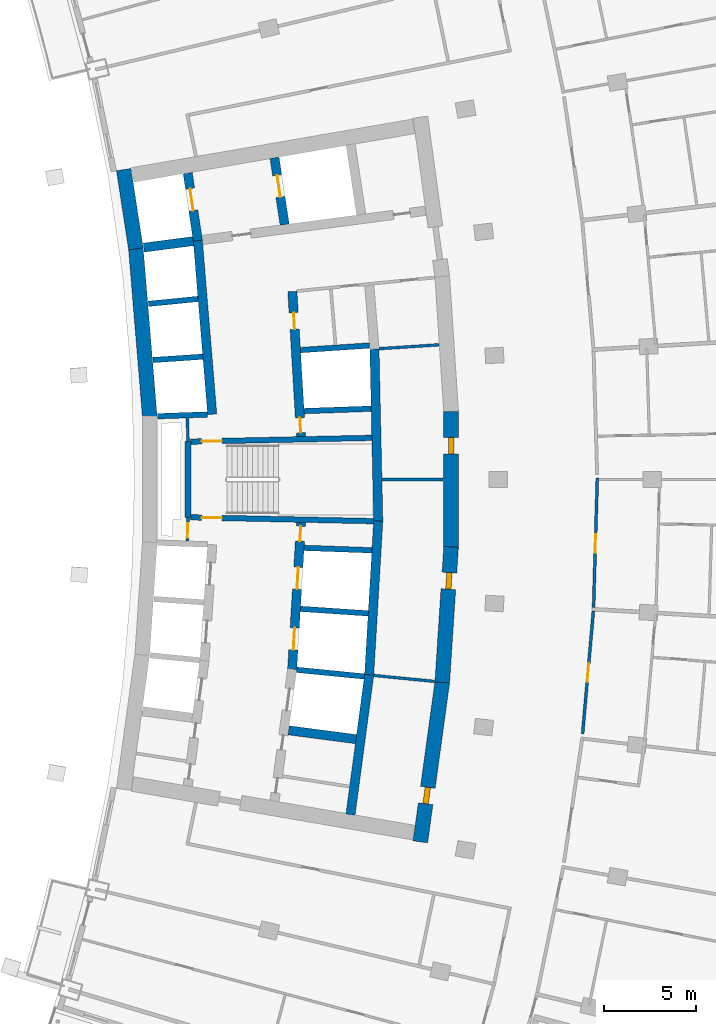
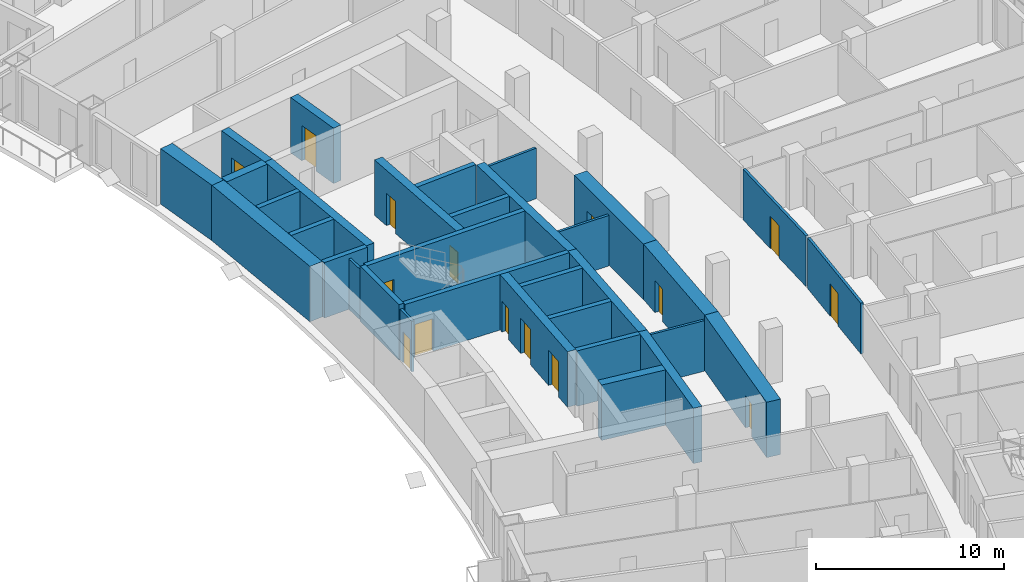
# One storey, part 16 of 25: 33 walls, 15 doors, 15 openings.
"""IFC4 building model written with IfcOpenShell, lengths in metres."""

from ifc_helpers import new_model, si_unit, direction, frame, frame_2d, origin, place, context, subcontext, project, spatial, rectangle, extrude, material, layer, layer_set, type_object, element, fill, save


model = new_model("IFC4")

# Units and contexts
model_context = context("Model", 3, precision=1e-05, world=origin(), true_north=direction((0.0, 1.0)))
body_context = subcontext(model_context, "Body", "Model", "MODEL_VIEW")
ifc_project = project(units=[si_unit("LENGTHUNIT", "METRE"), si_unit("AREAUNIT", "SQUARE_METRE"), si_unit("VOLUMEUNIT", "CUBIC_METRE"), si_unit("PLANEANGLEUNIT", "RADIAN"), si_unit("MASSUNIT", "GRAM", prefix="KILO")], contexts=[model_context])

# Site, building, storey
site_placement = place(None, origin())
site = spatial("IfcSite", under=ifc_project, at=site_placement, CompositionType="ELEMENT")
building_placement = place(site_placement, origin())
building = spatial("IfcBuilding", under=site, at=building_placement, Name="Alderwake Tower", CompositionType="ELEMENT")
storey_placement = place(building_placement, frame((0.0, 0.0, 111.199951171875)))
storey = spatial("IfcBuildingStorey", under=building, at=storey_placement, Name="L27", CompositionType="ELEMENT", Elevation=111.199951171875)

# Wall, opening, door
ifc_material_1 = material(Name="Gypsum shaft wall system, rated")
ifc_layer_1 = layer(ifc_material_1, 0.14990234375)
ifc_layer_set_1 = layer_set([ifc_layer_1], Name="Core room partition 150")
wall_type_1 = type_object("IfcWallType", Name="Core room partition 150", PredefinedType="PARTITIONING", material=ifc_layer_set_1)
wall_1_placement = place(storey_placement, frame((18.918701171875, 58.94384765625, 0.0), z_axis=(0.0, 0.0, 1.0), x_axis=(-0.027348257573, -0.999625966453, 0.0)))
wall_1 = element("IfcWall", 1, at=wall_1_placement, inside=storey, type_object=wall_type_1, Name="CW/L27/PA+24_-37", PredefinedType="PARTITIONING", context=body_context, shape_type="SweptSolid", body=[
    extrude(rectangle(XDim=1.29443359375, YDim=0.14990234375, at=frame_2d((0.647216796875, 0.0))), origin(), (0.0, 0.0, 1.0), 3.280029296875),
])
opening_1_placement = place(wall_1_placement, frame((0.322998046875, 0.0, 0.0)))
opening_1 = element("IfcOpeningElement", 2, at=opening_1_placement, cuts=wall_1, Name="Opening C004", PredefinedType="OPENING", context=body_context, shape_type="SweptSolid", body=[
    extrude(rectangle(XDim=0.800048828125, YDim=2.0, at=frame_2d((0.39990234375, 1.0))), frame((0.0, 0.0849609375, 0.0), z_axis=(0.0, -1.0, 0.0), x_axis=(1.0, 0.0, 0.0)), (0.0, 0.0, 1.0), 0.169921875),
])
ifc_material_2 = material(Name="Painted steel leaf, rated", Category="steel")
door_type_1 = type_object("IfcDoorType", Name="Riser access door 800", OperationType="SINGLE_SWING_LEFT", PredefinedType="DOOR", material=ifc_material_2)
door_1_placement = place(opening_1_placement, origin())
door_1 = element("IfcDoor", 3, at=door_1_placement, inside=storey, type_object=door_type_1, Name="Riser access door", OperationType="SINGLE_SWING_RIGHT", OverallHeight=2.0, OverallWidth=0.800048828125, PredefinedType="DOOR", context=body_context, shape_type="SweptSolid", body=[
    extrude(rectangle(XDim=0.800048828125, YDim=2.0, at=frame_2d((0.39990234375, 1.0))), frame((0.0, 0.02490234375, 0.0), z_axis=(0.0, -1.0, 0.0), x_axis=(1.0, 0.0, 0.0)), (0.0, 0.0, 1.0), 0.050048828125),
])
fill(opening_1, door_1)

# Walls
wall_2_placement = place(storey_placement, frame((18.918701171875, 63.05517578125, 0.0), z_axis=(0.0, 0.0, 1.0), x_axis=(-0.027327648352, 0.999626530078, 0.0)))
element("IfcWall", 4, at=wall_2_placement, inside=storey, type_object=wall_type_1, Name="CW/L27/PA+24_+22", PredefinedType="PARTITIONING", context=body_context, shape_type="SweptSolid", body=[
    extrude(rectangle(XDim=1.29541015625, YDim=0.14990234375, at=frame_2d((0.647705078125, 0.0))), origin(), (0.0, 0.0, 1.0), 3.280029296875),
])
wall_3_placement = place(storey_placement, frame((29.029296875, 50.331298828125, 0.0), z_axis=(0.0, 0.0, 1.0), x_axis=(0.995248248589, -0.097370034814, 0.0)))
element("IfcWall", 5, at=wall_3_placement, inside=storey, type_object=wall_type_1, Name="CW/L27/PR-102_+128", PredefinedType="PARTITIONING", context=body_context, shape_type="SweptSolid", body=[
    extrude(rectangle(XDim=3.31982421875, YDim=0.14990234375, at=frame_2d((1.659912109375, 0.0))), origin(), (0.0, 0.0, 1.0), 3.280029296875),
])
wall_4_placement = place(storey_placement, frame((29.47607421875, 61.0, 0.0), z_axis=(0.0, 0.0, 1.0), x_axis=(1.0, 0.0, 0.0)))
element("IfcWall", 6, at=wall_4_placement, inside=storey, type_object=wall_type_1, Name="CW/L27/PR+0_+128", PredefinedType="PARTITIONING", context=body_context, shape_type="SweptSolid", body=[
    extrude(rectangle(XDim=3.333984375, YDim=0.14990234375, at=frame_2d((1.6669921875, 0.0))), origin(), (0.0, 0.0, 1.0), 3.280029296875),
])
wall_5_placement = place(storey_placement, frame((29.318603515625, 68.11865234375, 0.0), z_axis=(0.0, 0.0, 1.0), x_axis=(0.997885072108, 0.065002945035, 0.0)))
element("IfcWall", 7, at=wall_5_placement, inside=storey, type_object=wall_type_1, Name="CW/L27/PR+68_+128", PredefinedType="PARTITIONING", context=body_context, shape_type="SweptSolid", body=[
    extrude(rectangle(XDim=3.260009765625, YDim=0.14990234375, at=frame_2d((1.6298828125, 0.0))), origin(), (0.0, 0.0, 1.0), 3.280029296875),
])
ifc_material_3 = material(Name="Concrete C70/85", Category="concrete")
ifc_layer_2 = layer(ifc_material_3, 0.800048828125)
ifc_layer_set_2 = layer_set([ifc_layer_2], Name="Core wall outer 800 C70-85")
wall_type_2 = type_object("IfcWallType", Name="Core wall outer 800 C70-85", PredefinedType="SHEAR", material=ifc_layer_set_2)
wall_6_placement = place(storey_placement, frame((16.8408203125, 64.410888671875, 0.0), z_axis=(0.0, 0.0, 1.0), x_axis=(-0.082619502339, 0.996581164699, 0.0)))
element("IfcWall", 8, at=wall_6_placement, inside=storey, type_object=wall_type_2, Name="Core wall CW.040", PredefinedType="SHEAR", context=body_context, shape_type="SweptSolid", body=[
    extrude(rectangle(XDim=9.201904296875, YDim=0.800048828125, at=frame_2d((4.60107421875, 0.0))), origin(), (0.0, 0.0, 1.0), 3.60009765625),
])
wall_7_placement = place(storey_placement, frame((16.083984375, 73.552490234375, 0.0), z_axis=(0.0, 0.0, 1.0), x_axis=(-0.151981606421, 0.988383322052, 0.0)))
element("IfcWall", 9, at=wall_7_placement, inside=storey, type_object=wall_type_2, Name="Core wall CW.039", PredefinedType="SHEAR", context=body_context, shape_type="SweptSolid", body=[
    extrude(rectangle(XDim=4.369384765625, YDim=0.800048828125, at=frame_2d((2.1845703125, 0.0))), origin(), (0.0, 0.0, 1.0), 3.60009765625),
])

# Wall, opening, door
wall_8_placement = place(storey_placement, frame((32.763427734375, 49.980712890625, 0.0), z_axis=(0.0, 0.0, 1.0), x_axis=(-0.135838347444, -0.990731014637, 0.0)))
wall_8 = element("IfcWall", 10, at=wall_8_placement, inside=storey, type_object=wall_type_2, Name="Core wall CW.012", PredefinedType="SHEAR", context=body_context, shape_type="SweptSolid", body=[
    extrude(rectangle(XDim=8.788818359375, YDim=0.800048828125, at=frame_2d((4.39453125, 0.0))), origin(), (0.0, 0.0, 1.0), 3.60009765625),
])
opening_2_placement = place(wall_8_placement, frame((5.79345703125, 0.0, 0.0)))
opening_2 = element("IfcOpeningElement", 11, at=opening_2_placement, cuts=wall_8, Name="Opening C060", PredefinedType="OPENING", context=body_context, shape_type="SweptSolid", body=[
    extrude(rectangle(XDim=0.89990234375, YDim=2.10009765625, at=frame_2d((0.449951171875, 1.050048828125))), frame((0.0, 0.409912109375, 0.0), z_axis=(0.0, -1.0, 0.0), x_axis=(1.0, 0.0, 0.0)), (0.0, 0.0, 1.0), 0.820068359375),
])
ifc_material_4 = material(Name="Painted steel leaf", Category="steel")
door_type_2 = type_object("IfcDoorType", Name="Core room door 900", OperationType="SINGLE_SWING_LEFT", PredefinedType="DOOR", material=ifc_material_4)
door_2_placement = place(opening_2_placement, origin())
door_2 = element("IfcDoor", 12, at=door_2_placement, inside=storey, type_object=door_type_2, Name="Room door", OperationType="SINGLE_SWING_LEFT", OverallHeight=2.10009765625, OverallWidth=0.89990234375, PredefinedType="DOOR", context=body_context, shape_type="SweptSolid", body=[
    extrude(rectangle(XDim=0.89990234375, YDim=2.10009765625, at=frame_2d((0.449951171875, 1.050048828125))), frame((0.0, 0.14990234375, 0.0), z_axis=(0.0, -1.0, 0.0), x_axis=(1.0, 0.0, 0.0)), (0.0, 0.0, 1.0), 0.300048828125),
])
fill(opening_2, door_2)

wall_9_placement = place(storey_placement, frame((33.240966796875, 57.330322265625, 0.0), z_axis=(0.0, 0.0, 1.0), x_axis=(-0.064976219143, -0.997886812693, 0.0)))
wall_9 = element("IfcWall", 13, at=wall_9_placement, inside=storey, type_object=wall_type_2, Name="Core wall CW.011", PredefinedType="SHEAR", context=body_context, shape_type="SweptSolid", body=[
    extrude(rectangle(XDim=7.39453125, YDim=0.800048828125, at=frame_2d((3.697265625, 0.0))), origin(), (0.0, 0.0, 1.0), 3.60009765625),
])
opening_3_placement = place(wall_9_placement, frame((1.40478515625, 0.0, 0.0)))
opening_3 = element("IfcOpeningElement", 14, at=opening_3_placement, cuts=wall_9, Name="Opening C025", PredefinedType="OPENING", context=body_context, shape_type="SweptSolid", body=[
    extrude(rectangle(XDim=0.89990234375, YDim=2.10009765625, at=frame_2d((0.449951171875, 1.050048828125))), frame((0.0, 0.409912109375, 0.0), z_axis=(0.0, -1.0, 0.0), x_axis=(1.0, 0.0, 0.0)), (0.0, 0.0, 1.0), 0.820068359375),
])
door_3_placement = place(opening_3_placement, origin())
door_3 = element("IfcDoor", 15, at=door_3_placement, inside=storey, type_object=door_type_2, Name="Room door", OperationType="SINGLE_SWING_RIGHT", OverallHeight=2.10009765625, OverallWidth=0.89990234375, PredefinedType="DOOR", context=body_context, shape_type="SweptSolid", body=[
    extrude(rectangle(XDim=0.89990234375, YDim=2.10009765625, at=frame_2d((0.449951171875, 1.050048828125))), frame((0.0, 0.14990234375, 0.0), z_axis=(0.0, -1.0, 0.0), x_axis=(1.0, 0.0, 0.0)), (0.0, 0.0, 1.0), 0.300048828125),
])
fill(opening_3, door_3)

wall_10_placement = place(storey_placement, frame((33.239990234375, 64.69677734375, 0.0), z_axis=(0.0, 0.0, 1.0), x_axis=(0.0, -1.0, 0.0)))
wall_10 = element("IfcWall", 16, at=wall_10_placement, inside=storey, type_object=wall_type_2, Name="Core wall CW.013", PredefinedType="SHEAR", context=body_context, shape_type="SweptSolid", body=[
    extrude(rectangle(XDim=7.3935546875, YDim=0.800048828125, at=frame_2d((3.69677734375, 0.0))), origin(), (0.0, 0.0, 1.0), 3.60009765625),
])
opening_4_placement = place(wall_10_placement, frame((1.40478515625, 0.0, 0.0)))
opening_4 = element("IfcOpeningElement", 17, at=opening_4_placement, cuts=wall_10, Name="Opening C033", PredefinedType="OPENING", context=body_context, shape_type="SweptSolid", body=[
    extrude(rectangle(XDim=0.89990234375, YDim=2.10009765625, at=frame_2d((0.449951171875, 1.050048828125))), frame((0.0, 0.409912109375, 0.0), z_axis=(0.0, -1.0, 0.0), x_axis=(1.0, 0.0, 0.0)), (0.0, 0.0, 1.0), 0.820068359375),
])
door_4_placement = place(opening_4_placement, origin())
door_4 = element("IfcDoor", 18, at=door_4_placement, inside=storey, type_object=door_type_2, Name="Room door", OperationType="SINGLE_SWING_LEFT", OverallHeight=2.10009765625, OverallWidth=0.89990234375, PredefinedType="DOOR", context=body_context, shape_type="SweptSolid", body=[
    extrude(rectangle(XDim=0.89990234375, YDim=2.10009765625, at=frame_2d((0.449951171875, 1.050048828125))), frame((0.0, 0.14990234375, 0.0), z_axis=(0.0, -1.0, 0.0), x_axis=(1.0, 0.0, 0.0)), (0.0, 0.0, 1.0), 0.300048828125),
])
fill(opening_4, door_4)

# Walls
ifc_material_5 = material(Name="Concrete C70/85", Category="concrete")
ifc_layer_3 = layer(ifc_material_5, 0.300048828125)
ifc_layer_set_3 = layer_set([ifc_layer_3], Name="Core wall shaft 300 C70-85")
wall_type_3 = type_object("IfcWallType", Name="Core wall shaft 300 C70-85", PredefinedType="SHEAR", material=ifc_layer_set_3)
wall_11_placement = place(storey_placement, frame((24.839599609375, 50.64013671875, 0.0), z_axis=(0.0, 0.0, 1.0), x_axis=(0.995150987401, -0.098359098589, 0.0)))
element("IfcWall", 19, at=wall_11_placement, inside=storey, type_object=wall_type_3, Name="Core wall CW.066", PredefinedType="SHEAR", context=body_context, shape_type="SweptSolid", body=[
    extrude(rectangle(XDim=3.69580078125, YDim=0.300048828125, at=frame_2d((1.847900390625, 0.0))), origin(), (0.0, 0.0, 1.0), 3.60009765625),
])
wall_12_placement = place(storey_placement, frame((25.0400390625, 53.9580078125, 0.0), z_axis=(0.0, 0.0, 1.0), x_axis=(0.997759957359, -0.066895945251, 0.0)))
element("IfcWall", 20, at=wall_12_placement, inside=storey, type_object=wall_type_3, Name="Core wall CW.080", PredefinedType="SHEAR", context=body_context, shape_type="SweptSolid", body=[
    extrude(rectangle(XDim=3.697021484375, YDim=0.300048828125, at=frame_2d((1.8486328125, 0.0))), origin(), (0.0, 0.0, 1.0), 3.60009765625),
])
wall_13_placement = place(storey_placement, frame((25.240478515625, 57.27490234375, 0.0), z_axis=(0.0, 0.0, 1.0), x_axis=(0.999372332678, -0.035425141877, 0.0)))
element("IfcWall", 21, at=wall_13_placement, inside=storey, type_object=wall_type_3, Name="Core wall CW.077", PredefinedType="SHEAR", context=body_context, shape_type="SweptSolid", body=[
    extrude(rectangle(XDim=3.69384765625, YDim=0.300048828125, at=frame_2d((1.846923828125, 0.0))), origin(), (0.0, 0.0, 1.0), 3.60009765625),
])
wall_14_placement = place(storey_placement, frame((17.269287109375, 64.443115234375, 0.0), z_axis=(0.0, 0.0, 1.0), x_axis=(0.999374239339, 0.03537131246, 0.0)))
element("IfcWall", 22, at=wall_14_placement, inside=storey, type_object=wall_type_3, Name="Core wall CW.059", PredefinedType="SHEAR", context=body_context, shape_type="SweptSolid", body=[
    extrude(rectangle(XDim=2.719482421875, YDim=0.300048828125, at=frame_2d((1.35986328125, 0.0))), origin(), (0.0, 0.0, 1.0), 3.60009765625),
])
wall_15_placement = place(storey_placement, frame((25.2412109375, 64.725341796875, 0.0), z_axis=(0.0, 0.0, 1.0), x_axis=(0.999374468163, 0.035364846723, 0.0)))
element("IfcWall", 23, at=wall_15_placement, inside=storey, type_object=wall_type_3, Name="Core wall CW.060", PredefinedType="SHEAR", context=body_context, shape_type="SweptSolid", body=[
    extrude(rectangle(XDim=3.65185546875, YDim=0.300048828125, at=frame_2d((1.825927734375, 0.0))), origin(), (0.0, 0.0, 1.0), 3.60009765625),
])
wall_16_placement = place(storey_placement, frame((17.015869140625, 67.50390625, 0.0), z_axis=(0.0, 0.0, 1.0), x_axis=(0.997756033475, 0.066954444689, 0.0)))
element("IfcWall", 24, at=wall_16_placement, inside=storey, type_object=wall_type_3, Name="Core wall CW.062", PredefinedType="SHEAR", context=body_context, shape_type="SweptSolid", body=[
    extrude(rectangle(XDim=2.716552734375, YDim=0.300048828125, at=frame_2d((1.3583984375, 0.0))), origin(), (0.0, 0.0, 1.0), 3.60009765625),
])
wall_17_placement = place(storey_placement, frame((25.042236328125, 68.0419921875, 0.0), z_axis=(0.0, 0.0, 1.0), x_axis=(0.997758420026, 0.066918870789, 0.0)))
element("IfcWall", 25, at=wall_17_placement, inside=storey, type_object=wall_type_3, Name="Core wall CW.063", PredefinedType="SHEAR", context=body_context, shape_type="SweptSolid", body=[
    extrude(rectangle(XDim=3.768798828125, YDim=0.300048828125, at=frame_2d((1.88427734375, 0.0))), origin(), (0.0, 0.0, 1.0), 3.60009765625),
])
wall_18_placement = place(storey_placement, frame((16.76220703125, 70.561767578125, 0.0), z_axis=(0.0, 0.0, 1.0), x_axis=(0.995154832978, 0.098320183083, 0.0)))
element("IfcWall", 26, at=wall_18_placement, inside=storey, type_object=wall_type_3, Name="Core wall CW.050", PredefinedType="SHEAR", context=body_context, shape_type="SweptSolid", body=[
    extrude(rectangle(XDim=2.716552734375, YDim=0.300048828125, at=frame_2d((1.3583984375, 0.0))), origin(), (0.0, 0.0, 1.0), 3.60009765625),
])
ifc_material_6 = material(Name="Concrete C70/85", Category="concrete")
ifc_layer_4 = layer(ifc_material_6, 0.5)
ifc_layer_set_4 = layer_set([ifc_layer_4], Name="Core wall spine 500 C70-85")
wall_type_4 = type_object("IfcWallType", Name="Core wall spine 500 C70-85", PredefinedType="SHEAR", material=ifc_layer_set_4)
wall_19_placement = place(storey_placement, frame((20.2373046875, 64.548095703125, 0.0), z_axis=(0.0, 0.0, 1.0), x_axis=(-0.082641410547, 0.996579348202, 0.0)))
element("IfcWall", 27, at=wall_19_placement, inside=storey, type_object=wall_type_4, Name="Core wall CW.031", PredefinedType="SHEAR", context=body_context, shape_type="SweptSolid", body=[
    extrude(rectangle(XDim=9.500732421875, YDim=0.5, at=frame_2d((4.75048828125, 0.0))), origin(), (0.0, 0.0, 1.0), 3.60009765625),
])

# Wall, opening, door
wall_20_placement = place(storey_placement, frame((19.4541015625, 73.9990234375, 0.0), z_axis=(0.0, 0.0, 1.0), x_axis=(-0.14792928808, 0.988997940204, 0.0)))
wall_20 = element("IfcWall", 28, at=wall_20_placement, inside=storey, type_object=wall_type_4, Name="Core wall CW.030", PredefinedType="SHEAR", context=body_context, shape_type="SweptSolid", body=[
    extrude(rectangle(XDim=3.716552734375, YDim=0.5, at=frame_2d((1.8583984375, 0.0))), origin(), (0.0, 0.0, 1.0), 3.60009765625),
])
opening_5_placement = place(wall_20_placement, frame((1.66259765625, 0.0, 0.0)))
opening_5 = element("IfcOpeningElement", 29, at=opening_5_placement, cuts=wall_20, Name="Opening LD-FF1", PredefinedType="OPENING", context=body_context, shape_type="SweptSolid", body=[
    extrude(rectangle(XDim=1.199951171875, YDim=2.300048828125, at=frame_2d((0.60009765625, 1.14990234375))), frame((0.0, 0.260009765625, 0.0), z_axis=(0.0, -1.0, 0.0), x_axis=(1.0, 0.0, 0.0)), (0.0, 0.0, 1.0), 0.52001953125),
])
ifc_material_7 = material(Name="Stainless steel sliding leaf", Category="steel")
door_type_3 = type_object("IfcDoorType", Name="Lift landing door 1200", OperationType="SLIDING_TO_LEFT", PredefinedType="DOOR", material=ifc_material_7)
door_5_placement = place(opening_5_placement, origin())
door_5 = element("IfcDoor", 30, at=door_5_placement, inside=storey, type_object=door_type_3, Name="Lift landing door FF1", OperationType="SLIDING_TO_LEFT", OverallHeight=2.300048828125, OverallWidth=1.199951171875, PredefinedType="DOOR", context=body_context, shape_type="SweptSolid", body=[
    extrude(rectangle(XDim=1.199951171875, YDim=2.300048828125, at=frame_2d((0.60009765625, 1.14990234375))), frame((0.0, 0.02490234375, 0.0), z_axis=(0.0, -1.0, 0.0), x_axis=(1.0, 0.0, 0.0)), (0.0, 0.0, 1.0), 0.050048828125),
])
fill(opening_5, door_5)

# Wall, openings, doors
wall_21_placement = place(storey_placement, frame((24.590087890625, 50.655029296875, 0.0), z_axis=(0.0, 0.0, 1.0), x_axis=(0.060305817737, 0.998179947879, 0.0)))
wall_21 = element("IfcWall", 31, at=wall_21_placement, inside=storey, type_object=wall_type_4, Name="Core wall CW.046", PredefinedType="SHEAR", context=body_context, shape_type="SweptSolid", body=[
    extrude(rectangle(XDim=8.02392578125, YDim=0.5, at=frame_2d((4.011962890625, 0.0))), origin(), (0.0, 0.0, 1.0), 3.60009765625),
])
opening_6_placement = place(wall_21_placement, frame((1.067138671875, 0.0, 0.0)))
opening_6 = element("IfcOpeningElement", 32, at=opening_6_placement, cuts=wall_21, Name="Opening LD-LP5", PredefinedType="OPENING", context=body_context, shape_type="SweptSolid", body=[
    extrude(rectangle(XDim=1.199951171875, YDim=2.300048828125, at=frame_2d((0.60009765625, 1.14990234375))), frame((0.0, 0.260009765625, 0.0), z_axis=(0.0, -1.0, 0.0), x_axis=(1.0, 0.0, 0.0)), (0.0, 0.0, 1.0), 0.52001953125),
])
opening_7_placement = place(wall_21_placement, frame((4.383544921875, 0.0, 0.0)))
opening_7 = element("IfcOpeningElement", 33, at=opening_7_placement, cuts=wall_21, Name="Opening LD-LP6", PredefinedType="OPENING", context=body_context, shape_type="SweptSolid", body=[
    extrude(rectangle(XDim=1.199951171875, YDim=2.300048828125, at=frame_2d((0.60009765625, 1.14990234375))), frame((0.0, 0.260009765625, 0.0), z_axis=(0.0, -1.0, 0.0), x_axis=(1.0, 0.0, 0.0)), (0.0, 0.0, 1.0), 0.52001953125),
])
opening_8_placement = place(wall_21_placement, frame((7.0078125, 0.0, 0.0)))
opening_8 = element("IfcOpeningElement", 34, at=opening_8_placement, cuts=wall_21, Name="Opening C006", PredefinedType="OPENING", context=body_context, shape_type="SweptSolid", body=[
    extrude(rectangle(XDim=0.800048828125, YDim=2.0, at=frame_2d((0.39990234375, 1.0))), frame((0.0, 0.260009765625, 0.0), z_axis=(0.0, -1.0, 0.0), x_axis=(1.0, 0.0, 0.0)), (0.0, 0.0, 1.0), 0.52001953125),
])
door_6_placement = place(opening_6_placement, origin())
door_6 = element("IfcDoor", 35, at=door_6_placement, inside=storey, type_object=door_type_3, Name="Lift landing door LP5", OperationType="SLIDING_TO_LEFT", OverallHeight=2.300048828125, OverallWidth=1.199951171875, PredefinedType="DOOR", context=body_context, shape_type="SweptSolid", body=[
    extrude(rectangle(XDim=1.199951171875, YDim=2.300048828125, at=frame_2d((0.60009765625, 1.14990234375))), frame((0.0, 0.02490234375, 0.0), z_axis=(0.0, -1.0, 0.0), x_axis=(1.0, 0.0, 0.0)), (0.0, 0.0, 1.0), 0.050048828125),
])
fill(opening_6, door_6)
door_7_placement = place(opening_7_placement, origin())
door_7 = element("IfcDoor", 36, at=door_7_placement, inside=storey, type_object=door_type_3, Name="Lift landing door LP6", OperationType="SLIDING_TO_LEFT", OverallHeight=2.300048828125, OverallWidth=1.199951171875, PredefinedType="DOOR", context=body_context, shape_type="SweptSolid", body=[
    extrude(rectangle(XDim=1.199951171875, YDim=2.300048828125, at=frame_2d((0.60009765625, 1.14990234375))), frame((0.0, 0.02490234375, 0.0), z_axis=(0.0, -1.0, 0.0), x_axis=(1.0, 0.0, 0.0)), (0.0, 0.0, 1.0), 0.050048828125),
])
fill(opening_7, door_7)
door_8_placement = place(opening_8_placement, origin())
door_8 = element("IfcDoor", 37, at=door_8_placement, inside=storey, type_object=door_type_1, Name="Riser access door", OperationType="SINGLE_SWING_RIGHT", OverallHeight=2.0, OverallWidth=0.800048828125, PredefinedType="DOOR", context=body_context, shape_type="SweptSolid", body=[
    extrude(rectangle(XDim=0.800048828125, YDim=2.0, at=frame_2d((0.39990234375, 1.0))), frame((0.0, 0.02490234375, 0.0), z_axis=(0.0, -1.0, 0.0), x_axis=(1.0, 0.0, 0.0)), (0.0, 0.0, 1.0), 0.050048828125),
])
fill(opening_8, door_8)

wall_22_placement = place(storey_placement, frame((25.073974609375, 63.335693359375, 0.0), z_axis=(0.0, 0.0, 1.0), x_axis=(-0.059848641072, 0.998207463487, 0.0)))
wall_22 = element("IfcWall", 38, at=wall_22_placement, inside=storey, type_object=wall_type_4, Name="Core wall CW.045", PredefinedType="SHEAR", context=body_context, shape_type="SweptSolid", body=[
    extrude(rectangle(XDim=7.913818359375, YDim=0.5, at=frame_2d((3.95703125, 0.0))), origin(), (0.0, 0.0, 1.0), 3.60009765625),
])
opening_9_placement = place(wall_22_placement, frame((0.216064453125, 0.0, 0.0)))
opening_9 = element("IfcOpeningElement", 39, at=opening_9_placement, cuts=wall_22, Name="Opening C005", PredefinedType="OPENING", context=body_context, shape_type="SweptSolid", body=[
    extrude(rectangle(XDim=0.800048828125, YDim=2.0, at=frame_2d((0.39990234375, 1.0))), frame((0.0, 0.260009765625, 0.0), z_axis=(0.0, -1.0, 0.0), x_axis=(1.0, 0.0, 0.0)), (0.0, 0.0, 1.0), 0.52001953125),
])
opening_10_placement = place(wall_22_placement, frame((5.856201171875, 0.0, 0.0)))
opening_10 = element("IfcOpeningElement", 40, at=opening_10_placement, cuts=wall_22, Name="Opening C024", PredefinedType="OPENING", context=body_context, shape_type="SweptSolid", body=[
    extrude(rectangle(XDim=0.89990234375, YDim=2.10009765625, at=frame_2d((0.449951171875, 1.050048828125))), frame((0.0, 0.260009765625, 0.0), z_axis=(0.0, -1.0, 0.0), x_axis=(1.0, 0.0, 0.0)), (0.0, 0.0, 1.0), 0.52001953125),
])
door_9_placement = place(opening_10_placement, origin())
door_9 = element("IfcDoor", 41, at=door_9_placement, inside=storey, type_object=door_type_2, Name="Room door", OperationType="SINGLE_SWING_LEFT", OverallHeight=2.10009765625, OverallWidth=0.89990234375, PredefinedType="DOOR", context=body_context, shape_type="SweptSolid", body=[
    extrude(rectangle(XDim=0.89990234375, YDim=2.10009765625, at=frame_2d((0.449951171875, 1.050048828125))), frame((0.0, 0.02490234375, 0.0), z_axis=(0.0, -1.0, 0.0), x_axis=(1.0, 0.0, 0.0)), (0.0, 0.0, 1.0), 0.050048828125),
])
fill(opening_10, door_9)
door_10_placement = place(opening_9_placement, origin())
door_10 = element("IfcDoor", 42, at=door_10_placement, inside=storey, type_object=door_type_1, Name="Riser access door", OperationType="SINGLE_SWING_LEFT", OverallHeight=2.0, OverallWidth=0.800048828125, PredefinedType="DOOR", context=body_context, shape_type="SweptSolid", body=[
    extrude(rectangle(XDim=0.800048828125, YDim=2.0, at=frame_2d((0.39990234375, 1.0))), frame((0.0, 0.02490234375, 0.0), z_axis=(0.0, -1.0, 0.0), x_axis=(1.0, 0.0, 0.0)), (0.0, 0.0, 1.0), 0.050048828125),
])
fill(opening_9, door_10)

# Wall, opening, door
wall_23_placement = place(storey_placement, frame((24.1796875, 74.878173828125, 0.0), z_axis=(0.0, 0.0, 1.0), x_axis=(-0.149334835296, 0.988786684259, 0.0)))
wall_23 = element("IfcWall", 43, at=wall_23_placement, inside=storey, type_object=wall_type_4, Name="Core wall CW.044", PredefinedType="SHEAR", context=body_context, shape_type="SweptSolid", body=[
    extrude(rectangle(XDim=3.673583984375, YDim=0.5, at=frame_2d((1.8369140625, 0.0))), origin(), (0.0, 0.0, 1.0), 3.60009765625),
])
opening_11_placement = place(wall_23_placement, frame((1.51171875, 0.0, 0.0)))
opening_11 = element("IfcOpeningElement", 44, at=opening_11_placement, cuts=wall_23, Name="Opening LD-FF2", PredefinedType="OPENING", context=body_context, shape_type="SweptSolid", body=[
    extrude(rectangle(XDim=1.199951171875, YDim=2.300048828125, at=frame_2d((0.60009765625, 1.14990234375))), frame((0.0, 0.260009765625, 0.0), z_axis=(0.0, -1.0, 0.0), x_axis=(1.0, 0.0, 0.0)), (0.0, 0.0, 1.0), 0.52001953125),
])
door_11_placement = place(opening_11_placement, origin())
door_11 = element("IfcDoor", 45, at=door_11_placement, inside=storey, type_object=door_type_3, Name="Lift landing door FF2", OperationType="SLIDING_TO_LEFT", OverallHeight=2.300048828125, OverallWidth=1.199951171875, PredefinedType="DOOR", context=body_context, shape_type="SweptSolid", body=[
    extrude(rectangle(XDim=1.199951171875, YDim=2.300048828125, at=frame_2d((0.60009765625, 1.14990234375))), frame((0.0, 0.02490234375, 0.0), z_axis=(0.0, -1.0, 0.0), x_axis=(1.0, 0.0, 0.0)), (0.0, 0.0, 1.0), 0.050048828125),
])
fill(opening_11, door_11)

# Walls
wall_24_placement = place(storey_placement, frame((27.76708984375, 42.75830078125, 0.0), z_axis=(0.0, 0.0, 1.0), x_axis=(0.132213731211, 0.991221231249, 0.0)))
element("IfcWall", 46, at=wall_24_placement, inside=storey, type_object=wall_type_4, Name="Core wall CW.006", PredefinedType="SHEAR", context=body_context, shape_type="SweptSolid", body=[
    extrude(rectangle(XDim=7.67431640625, YDim=0.5, at=frame_2d((3.837158203125, 0.0))), origin(), (0.0, 0.0, 1.0), 3.60009765625),
])
wall_25_placement = place(storey_placement, frame((28.77978515625, 50.345947265625, 0.0), z_axis=(0.0, 0.0, 1.0), x_axis=(0.059159556477, 0.998248539632, 0.0)))
element("IfcWall", 47, at=wall_25_placement, inside=storey, type_object=wall_type_4, Name="Core wall CW.004", PredefinedType="SHEAR", context=body_context, shape_type="SweptSolid", body=[
    extrude(rectangle(XDim=8.40625, YDim=0.5, at=frame_2d((4.203125, 0.0))), origin(), (0.0, 0.0, 1.0), 3.60009765625),
])
wall_26_placement = place(storey_placement, frame((29.276611328125, 58.71630859375, 0.0), z_axis=(0.0, 0.0, 1.0), x_axis=(-0.022111127054, 0.999755519145, 0.0)))
element("IfcWall", 48, at=wall_26_placement, inside=storey, type_object=wall_type_4, Name="Core wall CW.007", PredefinedType="SHEAR", context=body_context, shape_type="SweptSolid", body=[
    extrude(rectangle(XDim=9.396240234375, YDim=0.5, at=frame_2d((4.6982421875, 0.0))), origin(), (0.0, 0.0, 1.0), 3.60009765625),
])
wall_27_placement = place(storey_placement, frame((24.39892578125, 47.345458984375, 0.0), z_axis=(0.0, 0.0, 1.0), x_axis=(0.991553185565, -0.129700733209, 0.0)))
element("IfcWall", 49, at=wall_27_placement, inside=storey, type_object=wall_type_4, Name="Core wall CW.069", PredefinedType="SHEAR", context=body_context, shape_type="SweptSolid", body=[
    extrude(rectangle(XDim=3.695068359375, YDim=0.5, at=frame_2d((1.84765625, 0.0))), origin(), (0.0, 0.0, 1.0), 3.60009765625),
])
wall_28_placement = place(storey_placement, frame((16.508544921875, 73.62255859375, 0.0), z_axis=(0.0, 0.0, 1.0), x_axis=(0.991548766325, 0.129734513522, 0.0)))
element("IfcWall", 50, at=wall_28_placement, inside=storey, type_object=wall_type_4, Name="Core wall CW.051", PredefinedType="SHEAR", context=body_context, shape_type="SweptSolid", body=[
    extrude(rectangle(XDim=2.71923828125, YDim=0.5, at=frame_2d((1.359619140625, 0.0))), origin(), (0.0, 0.0, 1.0), 3.60009765625),
])
ifc_material_8 = material(Name="Concrete C70/85", Category="concrete")
ifc_layer_5 = layer(ifc_material_8, 0.300048828125)
ifc_layer_set_5 = layer_set([ifc_layer_5], Name="Core wall stair enclosure 300 C70-85")
wall_type_5 = type_object("IfcWallType", Name="Core wall stair enclosure 300 C70-85", PredefinedType="SHEAR", material=ifc_layer_set_5)
wall_29_placement = place(storey_placement, frame((18.918701171875, 58.94091796875, 0.0), z_axis=(0.0, 0.0, 1.0), x_axis=(0.0, 1.0, 0.0)))
element("IfcWall", 51, at=wall_29_placement, inside=storey, type_object=wall_type_5, Name="Core wall CW.024", PredefinedType="SHEAR", context=body_context, shape_type="SweptSolid", body=[
    extrude(rectangle(XDim=4.119384765625, YDim=0.300048828125, at=frame_2d((2.0595703125, 0.0))), origin(), (0.0, 0.0, 1.0), 3.60009765625),
])

# Wall, opening, door
wall_30_placement = place(storey_placement, frame((29.026123046875, 58.73193359375, 0.0), z_axis=(0.0, 0.0, 1.0), x_axis=(-0.999783418156, 0.020811457903, 0.0)))
wall_30 = element("IfcWall", 52, at=wall_30_placement, inside=storey, type_object=wall_type_5, Name="Core wall CW.074", PredefinedType="SHEAR", context=body_context, shape_type="SweptSolid", body=[
    extrude(rectangle(XDim=9.959716796875, YDim=0.300048828125, at=frame_2d((4.97998046875, 0.0))), origin(), (0.0, 0.0, 1.0), 3.60009765625),
])
opening_12_placement = place(wall_30_placement, frame((8.259765625, 0.0, 0.0)))
opening_12 = element("IfcOpeningElement", 53, at=opening_12_placement, cuts=wall_30, Name="Opening C063", PredefinedType="OPENING", context=body_context, shape_type="SweptSolid", body=[
    extrude(rectangle(XDim=1.10009765625, YDim=2.10009765625, at=frame_2d((0.550048828125, 1.050048828125))), frame((0.0, 0.159912109375, 0.0), z_axis=(0.0, -1.0, 0.0), x_axis=(1.0, 0.0, 0.0)), (0.0, 0.0, 1.0), 0.320068359375),
])
ifc_material_9 = material(Name="Steel-framed fire door leaf", Category="steel")
door_type_4 = type_object("IfcDoorType", Name="Core stair door 1100 fire-rated", OperationType="SINGLE_SWING_LEFT", PredefinedType="DOOR", material=ifc_material_9)
door_12_placement = place(opening_12_placement, origin())
door_12 = element("IfcDoor", 54, at=door_12_placement, inside=storey, type_object=door_type_4, Name="Stair door", OperationType="SINGLE_SWING_LEFT", OverallHeight=2.10009765625, OverallWidth=1.10009765625, PredefinedType="DOOR", context=body_context, shape_type="SweptSolid", body=[
    extrude(rectangle(XDim=1.10009765625, YDim=2.10009765625, at=frame_2d((0.550048828125, 1.050048828125))), frame((0.0, 0.02490234375, 0.0), z_axis=(0.0, -1.0, 0.0), x_axis=(1.0, 0.0, 0.0)), (0.0, 0.0, 1.0), 0.050048828125),
])
fill(opening_12, door_12)

wall_31_placement = place(storey_placement, frame((19.068603515625, 63.060791015625, 0.0), z_axis=(0.0, 0.0, 1.0), x_axis=(0.999783647187, 0.02080045235, 0.0)))
wall_31 = element("IfcWall", 55, at=wall_31_placement, inside=storey, type_object=wall_type_5, Name="Core wall CW.057", PredefinedType="SHEAR", context=body_context, shape_type="SweptSolid", body=[
    extrude(rectangle(XDim=9.859375, YDim=0.300048828125, at=frame_2d((4.9296875, 0.0))), origin(), (0.0, 0.0, 1.0), 3.60009765625),
])
opening_13_placement = place(wall_31_placement, frame((0.60009765625, 0.0, 0.0)))
opening_13 = element("IfcOpeningElement", 56, at=opening_13_placement, cuts=wall_31, Name="Opening C064", PredefinedType="OPENING", context=body_context, shape_type="SweptSolid", body=[
    extrude(rectangle(XDim=1.10009765625, YDim=2.10009765625, at=frame_2d((0.550048828125, 1.050048828125))), frame((0.0, 0.159912109375, 0.0), z_axis=(0.0, -1.0, 0.0), x_axis=(1.0, 0.0, 0.0)), (0.0, 0.0, 1.0), 0.320068359375),
])
door_13_placement = place(opening_13_placement, origin())
door_13 = element("IfcDoor", 57, at=door_13_placement, inside=storey, type_object=door_type_4, Name="Stair door", OperationType="SINGLE_SWING_RIGHT", OverallHeight=2.10009765625, OverallWidth=1.10009765625, PredefinedType="DOOR", context=body_context, shape_type="SweptSolid", body=[
    extrude(rectangle(XDim=1.10009765625, YDim=2.10009765625, at=frame_2d((0.550048828125, 1.050048828125))), frame((0.0, 0.02490234375, 0.0), z_axis=(0.0, -1.0, 0.0), x_axis=(1.0, 0.0, 0.0)), (0.0, 0.0, 1.0), 0.050048828125),
])
fill(opening_13, door_13)

ifc_material_10 = material(Name="Gypsum board on metal studs, rated")
ifc_layer_6 = layer(ifc_material_10, 0.159912109375)
ifc_layer_set_6 = layer_set([ifc_layer_6], Name="Corridor wall 160")
wall_type_6 = type_object("IfcWallType", Name="Corridor wall 160", PredefinedType="PARTITIONING", material=ifc_layer_set_6)
wall_32_placement = place(storey_placement, frame((40.986328125, 53.834228515625, 0.0), z_axis=(0.0, 0.0, 1.0), x_axis=(-0.087437661692, -0.996169993183, 0.0)))
wall_32 = element("IfcWall", 58, at=wall_32_placement, inside=storey, type_object=wall_type_6, Name="WL/L27/W37", PredefinedType="PARTITIONING", context=body_context, shape_type="SweptSolid", body=[
    extrude(rectangle(XDim=6.701171875, YDim=0.159912109375, at=frame_2d((3.3505859375, 0.0))), origin(), (0.0, 0.0, 1.0), 3.280029296875),
])
opening_14_placement = place(wall_32_placement, frame((2.8505859375, 0.0, 0.0)))
opening_14 = element("IfcOpeningElement", 59, at=opening_14_placement, cuts=wall_32, Name="Opening R07-U06.2", PredefinedType="OPENING", context=body_context, shape_type="SweptSolid", body=[
    extrude(rectangle(XDim=1.0, YDim=2.10009765625, at=frame_2d((0.5, 1.050048828125))), frame((0.0, 0.08984375, 0.0), z_axis=(0.0, -1.0, 0.0), x_axis=(1.0, 0.0, 0.0)), (0.0, 0.0, 1.0), 0.179931640625),
])
ifc_material_11 = material(Name="Solid timber leaf in steel frame", Category="steel")
door_type_5 = type_object("IfcDoorType", Name="Flat entrance door 1000 fire-rated", OperationType="SINGLE_SWING_LEFT", PredefinedType="DOOR", material=ifc_material_11)
door_14_placement = place(opening_14_placement, origin())
door_14 = element("IfcDoor", 60, at=door_14_placement, inside=storey, type_object=door_type_5, Name="DR/L27/U06.2", OperationType="SINGLE_SWING_LEFT", OverallHeight=2.10009765625, OverallWidth=1.0, PredefinedType="DOOR", context=body_context, shape_type="SweptSolid", body=[
    extrude(rectangle(XDim=1.0, YDim=2.10009765625, at=frame_2d((0.5, 1.050048828125))), frame((0.0, 0.02490234375, 0.0), z_axis=(0.0, -1.0, 0.0), x_axis=(1.0, 0.0, 0.0)), (0.0, 0.0, 1.0), 0.050048828125),
])
fill(opening_14, door_14)

wall_33_placement = place(storey_placement, frame((41.201416015625, 61.0791015625, 0.0), z_axis=(0.0, 0.0, 1.0), x_axis=(-0.028889070526, -0.999582623701, 0.0)))
wall_33 = element("IfcWall", 61, at=wall_33_placement, inside=storey, type_object=wall_type_6, Name="WL/L27/W40", PredefinedType="PARTITIONING", context=body_context, shape_type="SweptSolid", body=[
    extrude(rectangle(XDim=7.048095703125, YDim=0.159912109375, at=frame_2d((3.52392578125, 0.0))), origin(), (0.0, 0.0, 1.0), 3.280029296875),
])
opening_15_placement = place(wall_33_placement, frame((3.0634765625, 0.0, 0.0)))
opening_15 = element("IfcOpeningElement", 62, at=opening_15_placement, cuts=wall_33, Name="Opening R07-U07.2", PredefinedType="OPENING", context=body_context, shape_type="SweptSolid", body=[
    extrude(rectangle(XDim=1.0, YDim=2.10009765625, at=frame_2d((0.5, 1.050048828125))), frame((0.0, 0.08984375, 0.0), z_axis=(0.0, -1.0, 0.0), x_axis=(1.0, 0.0, 0.0)), (0.0, 0.0, 1.0), 0.179931640625),
])
door_15_placement = place(opening_15_placement, origin())
door_15 = element("IfcDoor", 63, at=door_15_placement, inside=storey, type_object=door_type_5, Name="DR/L27/U07.2", OperationType="SINGLE_SWING_LEFT", OverallHeight=2.10009765625, OverallWidth=1.0, PredefinedType="DOOR", context=body_context, shape_type="SweptSolid", body=[
    extrude(rectangle(XDim=1.0, YDim=2.10009765625, at=frame_2d((0.5, 1.050048828125))), frame((0.0, 0.02490234375, 0.0), z_axis=(0.0, -1.0, 0.0), x_axis=(1.0, 0.0, 0.0)), (0.0, 0.0, 1.0), 0.050048828125),
])
fill(opening_15, door_15)

save(model, "model.ifc")
